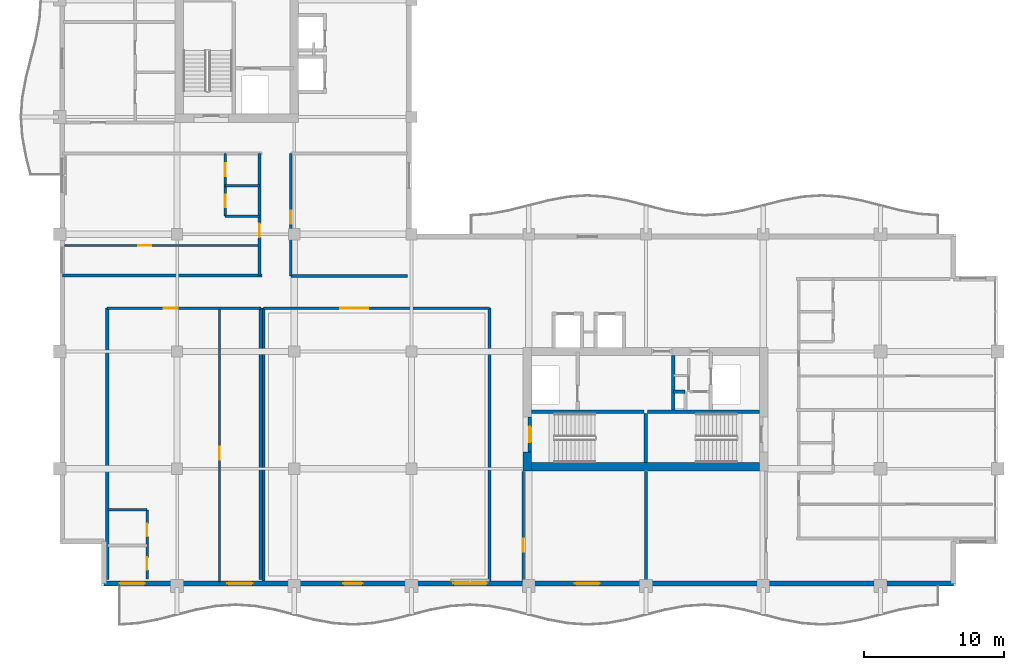
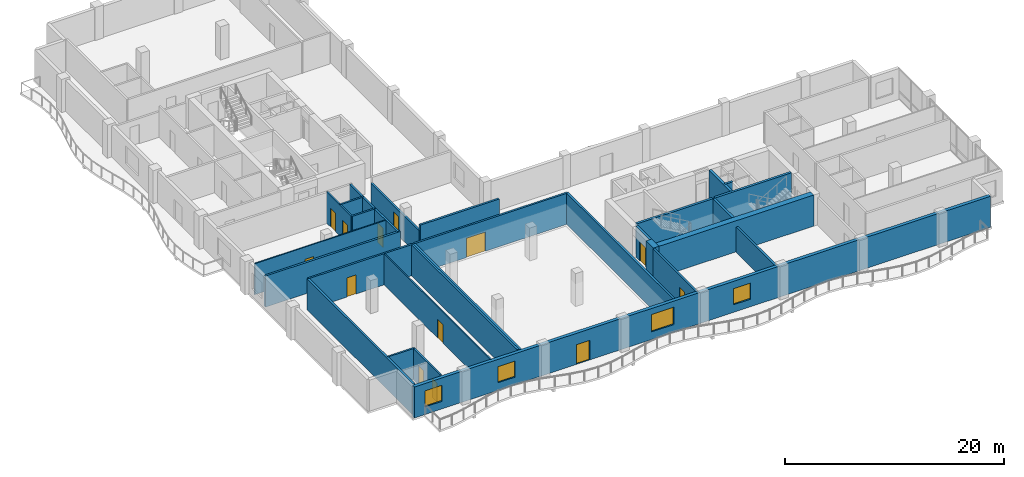
# One storey, part 6 of 16: 28 walls, 13 doors, 4 windows, 17 openings.
"""IFC4 building model written with IfcOpenShell, lengths in metres."""

from ifc_helpers import new_model, si_unit, direction, frame, frame_2d, origin, place, context, subcontext, project, spatial, rectangle, extrude, material, layer, layer_set, type_object, element, fill, save


model = new_model("IFC4")

# Units and contexts
model_context = context("Model", 3, precision=1e-05, world=origin(), true_north=direction((0.0, 1.0)))
body_context = subcontext(model_context, "Body", "Model", "MODEL_VIEW")
ifc_project = project(units=[si_unit("LENGTHUNIT", "METRE"), si_unit("AREAUNIT", "SQUARE_METRE"), si_unit("VOLUMEUNIT", "CUBIC_METRE"), si_unit("PLANEANGLEUNIT", "RADIAN"), si_unit("MASSUNIT", "GRAM", prefix="KILO")], contexts=[model_context])

# Site, building, storey
site_placement = place(None, origin())
site = spatial("IfcSite", under=ifc_project, at=site_placement, CompositionType="ELEMENT")
building_placement = place(site_placement, origin())
building = spatial("IfcBuilding", under=site, at=building_placement, Name="Koriwani Terraces Tower", CompositionType="ELEMENT")
storey_placement = place(building_placement, frame((0.0, 0.0, 274.89990234375)))
storey = spatial("IfcBuildingStorey", under=building, at=storey_placement, Name="L68", CompositionType="ELEMENT", Elevation=274.89990234375)

# Walls
ifc_material_1 = material(Name="Concrete C60/75", Category="concrete")
ifc_layer_1 = layer(ifc_material_1, 0.60009765625, Name="Concrete C60/75")
ifc_layer_set_1 = layer_set([ifc_layer_1], Name="Concrete C60/75")
wall_type_1 = type_object("IfcWallType", Name="WALL_CORE_RC_600", PredefinedType="SHEAR", material=ifc_layer_set_1)
wall_1_placement = place(storey_placement, frame((41.89990234375, 16.64990234375, 0.0), z_axis=(0.0, 0.0, 1.0), x_axis=(0.0, 1.0, 0.0)))
element("IfcWall", 1, at=wall_1_placement, inside=storey, type_object=wall_type_1, Name="L68 East Split Core Shear Wall W1", PredefinedType="SHEAR", context=body_context, shape_type="SweptSolid", body=[
    extrude(rectangle(XDim=1.35009765625, YDim=0.60009765625, at=frame_2d((0.675048828125, 0.0))), origin(), (0.0, 0.0, 1.0), 3.47021484375),
])
wall_2_placement = place(storey_placement, frame((42.199951171875, 16.949951171875, 0.0), z_axis=(0.0, 0.0, 1.0), x_axis=(1.0, 0.0, 0.0)))
element("IfcWall", 2, at=wall_2_placement, inside=storey, type_object=wall_type_1, Name="L68 East Split Core Shear Wall S1", PredefinedType="SHEAR", context=body_context, shape_type="SweptSolid", body=[
    extrude(rectangle(XDim=16.35009765625, YDim=0.60009765625, at=frame_2d((8.175048828125, 0.0))), origin(), (0.0, 0.0, 1.0), 3.47021484375),
])

# Wall, opening, door
ifc_material_2 = material(Name="Autoclaved Cellular Concrete Blockwork", Category="masonry")
ifc_layer_2 = layer(ifc_material_2, 0.199951171875, Name="Autoclaved Cellular Concrete Blockwork")
ifc_layer_set_2 = layer_set([ifc_layer_2], Name="Autoclaved Cellular Concrete Blockwork")
wall_type_2 = type_object("IfcWallType", Name="WALL_CORRIDOR_200", PredefinedType="PARTITIONING", material=ifc_layer_set_2)
wall_3_placement = place(storey_placement, frame((24.949951171875, 30.60009765625, 0.0), z_axis=(0.0, 0.0, 1.0), x_axis=(0.0, 1.0, 0.0)))
wall_3 = element("IfcWall", 3, at=wall_3_placement, inside=storey, type_object=wall_type_2, Name="L68 Interior Wall WIC4W-L68", PredefinedType="PARTITIONING", context=body_context, shape_type="SweptSolid", body=[
    extrude(rectangle(XDim=8.7998046875, YDim=0.199951171875, at=frame_2d((4.39990234375, 0.0))), origin(), (0.0, 0.0, 1.0), 2.820068359375),
])
opening_1_placement = place(wall_3_placement, frame((3.75, 0.0, 0.0)))
opening_1 = element("IfcOpeningElement", 4, at=opening_1_placement, cuts=wall_3, Name="Opening D-06", PredefinedType="OPENING", context=body_context, shape_type="SweptSolid", body=[
    extrude(rectangle(XDim=0.919921875, YDim=2.10009765625, at=frame_2d((0.4599609375, 1.050048828125))), frame((0.0, 0.10986328125, 0.0), z_axis=(0.0, -1.0, 0.0), x_axis=(1.0, 0.0, 0.0)), (0.0, 0.0, 1.0), 0.219970703125),
])
ifc_material_3 = material(Name="Architectural Oak Fire Door", Category="wood")
door_type_1 = type_object("IfcDoorType", Name="DOOR_ROOM_INT_920X2100", OperationType="NOTDEFINED", PredefinedType="DOOR", material=ifc_material_3)
door_1_placement = place(opening_1_placement, origin())
door_1 = element("IfcDoor", 5, at=door_1_placement, inside=storey, type_object=door_type_1, Name="L68 High-Rise Court Study Door", OperationType="SINGLE_SWING_RIGHT", OverallHeight=2.10009765625, OverallWidth=0.919921875, PredefinedType="DOOR", context=body_context, shape_type="SweptSolid", body=[
    extrude(rectangle(XDim=0.919921875, YDim=2.10009765625, at=frame_2d((0.4599609375, 1.050048828125))), frame((0.0, 0.02490234375, 0.0), z_axis=(0.0, -1.0, 0.0), x_axis=(1.0, 0.0, 0.0)), (0.0, 0.0, 1.0), 0.050048828125),
])
fill(opening_1, door_1)

wall_4_placement = place(storey_placement, frame((41.60009765625, 8.64990234375, 0.0), z_axis=(0.0, 0.0, 1.0), x_axis=(0.0, 1.0, 0.0)))
wall_4 = element("IfcWall", 6, at=wall_4_placement, inside=storey, type_object=wall_type_2, Name="L68 Interior Wall WRZ4-EW-L68", PredefinedType="PARTITIONING", context=body_context, shape_type="SweptSolid", body=[
    extrude(rectangle(XDim=7.9501953125, YDim=0.199951171875, at=frame_2d((3.97509765625, 0.0))), origin(), (0.0, 0.0, 1.0), 3.47021484375),
])
opening_2_placement = place(wall_4_placement, frame((2.199951171875, 0.0, 0.0)))
opening_2 = element("IfcOpeningElement", 7, at=opening_2_placement, cuts=wall_4, Name="Opening D-06", PredefinedType="OPENING", context=body_context, shape_type="SweptSolid", body=[
    extrude(rectangle(XDim=0.919921875, YDim=2.10009765625, at=frame_2d((0.4599609375, 1.050048828125))), frame((0.0, 0.10986328125, 0.0), z_axis=(0.0, -1.0, 0.0), x_axis=(1.0, 0.0, 0.0)), (0.0, 0.0, 1.0), 0.219970703125),
])
door_2_placement = place(opening_2_placement, origin())
door_2 = element("IfcDoor", 8, at=door_2_placement, inside=storey, type_object=door_type_1, Name="L68 Resident Library Study Door", OperationType="SINGLE_SWING_LEFT", OverallHeight=2.10009765625, OverallWidth=0.919921875, PredefinedType="DOOR", context=body_context, shape_type="SweptSolid", body=[
    extrude(rectangle(XDim=0.919921875, YDim=2.10009765625, at=frame_2d((0.4599609375, 1.050048828125))), frame((0.0, 0.02490234375, 0.0), z_axis=(0.0, -1.0, 0.0), x_axis=(1.0, 0.0, 0.0)), (0.0, 0.0, 1.0), 0.050048828125),
])
fill(opening_2, door_2)

wall_5_placement = place(storey_placement, frame((11.800048828125, 28.300048828125, 0.0), z_axis=(0.0, 0.0, 1.0), x_axis=(1.0, 0.0, 0.0)))
wall_5 = element("IfcWall", 9, at=wall_5_placement, inside=storey, type_object=wall_type_2, Name="L68 Interior Wall WGB-L68-SPINE-N", PredefinedType="PARTITIONING", context=body_context, shape_type="SweptSolid", body=[
    extrude(rectangle(XDim=11.0, YDim=0.199951171875, at=frame_2d((5.5, 0.0))), origin(), (0.0, 0.0, 1.0), 3.47021484375),
])
opening_3_placement = place(wall_5_placement, frame((4.050048828125, 0.0, 0.0)))
opening_3 = element("IfcOpeningElement", 10, at=opening_3_placement, cuts=wall_5, Name="Opening D-05", PredefinedType="OPENING", context=body_context, shape_type="SweptSolid", body=[
    extrude(rectangle(XDim=1.0, YDim=2.14990234375, at=frame_2d((0.5, 1.074951171875))), frame((0.0, 0.10986328125, 0.0), z_axis=(0.0, -1.0, 0.0), x_axis=(1.0, 0.0, 0.0)), (0.0, 0.0, 1.0), 0.219970703125),
])
door_type_2 = type_object("IfcDoorType", Name="DOOR_SUITE_ENTRY_1000X2150", OperationType="NOTDEFINED", PredefinedType="DOOR", material=ifc_material_3)
door_3_placement = place(opening_3_placement, origin())
door_3 = element("IfcDoor", 11, at=door_3_placement, inside=storey, type_object=door_type_2, Name="Corner Residence 68SP Entrance Door", OperationType="SINGLE_SWING_LEFT", OverallHeight=2.14990234375, OverallWidth=1.0, PredefinedType="DOOR", context=body_context, shape_type="SweptSolid", body=[
    extrude(rectangle(XDim=1.0, YDim=2.14990234375, at=frame_2d((0.5, 1.074951171875))), frame((0.0, 0.02490234375, 0.0), z_axis=(0.0, -1.0, 0.0), x_axis=(1.0, 0.0, 0.0)), (0.0, 0.0, 1.0), 0.050048828125),
])
fill(opening_3, door_3)

wall_6_placement = place(storey_placement, frame((23.0, 28.300048828125, 0.0), z_axis=(0.0, 0.0, 1.0), x_axis=(1.0, 0.0, 0.0)))
wall_6 = element("IfcWall", 12, at=wall_6_placement, inside=storey, type_object=wall_type_2, Name="L68 Interior Wall WSPCLB-N-L68", PredefinedType="PARTITIONING", context=body_context, shape_type="SweptSolid", body=[
    extrude(rectangle(XDim=16.199951171875, YDim=0.199951171875, at=frame_2d((8.10009765625, 0.0))), origin(), (0.0, 0.0, 1.0), 3.47021484375),
])
opening_4_placement = place(wall_6_placement, frame((5.5, 0.0, 0.0)))
opening_4 = element("IfcOpeningElement", 13, at=opening_4_placement, cuts=wall_6, Name="Opening D-02", PredefinedType="OPENING", context=body_context, shape_type="SweptSolid", body=[
    extrude(rectangle(XDim=2.0, YDim=2.14990234375, at=frame_2d((1.0, 1.074951171875))), frame((0.0, 0.10986328125, 0.0), z_axis=(0.0, -1.0, 0.0), x_axis=(1.0, 0.0, 0.0)), (0.0, 0.0, 1.0), 0.219970703125),
])
ifc_material_4 = material(Name="Anodised Bronze Aluminium", Category="aluminium")
door_type_3 = type_object("IfcDoorType", Name="DOOR_ENTRANCE_DOUBLE_2000X2400", OperationType="NOTDEFINED", PredefinedType="DOOR", material=ifc_material_4)
door_4_placement = place(opening_4_placement, origin())
door_4 = element("IfcDoor", 14, at=door_4_placement, inside=storey, type_object=door_type_3, Name="L68 Sky Screening Salon Door", OperationType="SINGLE_SWING_LEFT", OverallHeight=2.14990234375, OverallWidth=2.0, PredefinedType="DOOR", context=body_context, shape_type="SweptSolid", body=[
    extrude(rectangle(XDim=2.0, YDim=2.14990234375, at=frame_2d((1.0, 1.074951171875))), frame((0.0, 0.02490234375, 0.0), z_axis=(0.0, -1.0, 0.0), x_axis=(1.0, 0.0, 0.0)), (0.0, 0.0, 1.0), 0.050048828125),
])
fill(opening_4, door_4)

wall_7_placement = place(storey_placement, frame((22.699951171875, 30.64990234375, 0.0), z_axis=(0.0, 0.0, 1.0), x_axis=(0.0, 1.0, 0.0)))
wall_7 = element("IfcWall", 15, at=wall_7_placement, inside=storey, type_object=wall_type_2, Name="L68 Interior Wall WRCOR-L68-NE-0", PredefinedType="PARTITIONING", context=body_context, shape_type="SweptSolid", body=[
    extrude(rectangle(XDim=8.75, YDim=0.199951171875, at=frame_2d((4.375, 0.0))), origin(), (0.0, 0.0, 1.0), 3.47021484375),
])
opening_5_placement = place(wall_7_placement, frame((2.719970703125, 0.0, 0.0)))
opening_5 = element("IfcOpeningElement", 16, at=opening_5_placement, cuts=wall_7, Name="Opening D-05", PredefinedType="OPENING", context=body_context, shape_type="SweptSolid", body=[
    extrude(rectangle(XDim=1.0, YDim=2.14990234375, at=frame_2d((0.5, 1.074951171875))), frame((0.0, 0.10986328125, 0.0), z_axis=(0.0, -1.0, 0.0), x_axis=(1.0, 0.0, 0.0)), (0.0, 0.0, 1.0), 0.219970703125),
])
door_5_placement = place(opening_5_placement, origin())
door_5 = element("IfcDoor", 17, at=door_5_placement, inside=storey, type_object=door_type_2, Name="Apartment 68NE1 Entrance Door", OperationType="SINGLE_SWING_RIGHT", OverallHeight=2.14990234375, OverallWidth=1.0, PredefinedType="DOOR", context=body_context, shape_type="SweptSolid", body=[
    extrude(rectangle(XDim=1.0, YDim=2.14990234375, at=frame_2d((0.5, 1.074951171875))), frame((0.0, 0.02490234375, 0.0), z_axis=(0.0, -1.0, 0.0), x_axis=(1.0, 0.0, 0.0)), (0.0, 0.0, 1.0), 0.050048828125),
])
fill(opening_5, door_5)

# Walls
ifc_layer_3 = layer(ifc_material_2, 0.219970703125, Name="Autoclaved Cellular Concrete Blockwork")
ifc_layer_set_3 = layer_set([ifc_layer_3], Name="Autoclaved Cellular Concrete Blockwork")
wall_type_3 = type_object("IfcWallType", Name="WALL_DEMISING_220", PredefinedType="PARTITIONING", material=ifc_layer_set_3)
wall_8_placement = place(storey_placement, frame((24.949951171875, 30.60009765625, 0.0), z_axis=(0.0, 0.0, 1.0), x_axis=(1.0, 0.0, 0.0)))
element("IfcWall", 18, at=wall_8_placement, inside=storey, type_object=wall_type_3, Name="L68 Interior Wall WIC4WS-L68", PredefinedType="PARTITIONING", context=body_context, shape_type="SweptSolid", body=[
    extrude(rectangle(XDim=8.35009765625, YDim=0.219970703125, at=frame_2d((4.175048828125, 0.0))), origin(), (0.0, 0.0, 1.0), 3.47021484375),
])
wall_9_placement = place(storey_placement, frame((50.39990234375, 8.64990234375, 0.0), z_axis=(0.0, 0.0, 1.0), x_axis=(0.0, 1.0, 0.0)))
element("IfcWall", 19, at=wall_9_placement, inside=storey, type_object=wall_type_3, Name="L68 Interior Wall WRZ4-EM-L68", PredefinedType="PARTITIONING", context=body_context, shape_type="SweptSolid", body=[
    extrude(rectangle(XDim=7.9501953125, YDim=0.219970703125, at=frame_2d((3.97509765625, 0.0))), origin(), (0.0, 0.0, 1.0), 2.820068359375),
])
for number, where, z_axis, x_axis, name in (
    (20, (22.800048828125, 8.85009765625, 0.0), (0.0, 0.0, 1.0), (0.0, 1.0, 0.0), "L68 Interior Wall WGB-L68-SPINE-E"),
    (21, (11.800048828125, 8.85009765625, 0.0), (0.0, 0.0, 1.0), (0.0, 1.0, 0.0), "L68 Interior Wall WGB-L68-SPINE-W"),
):
    element("IfcWall", number, at=place(storey_placement, frame(where, z_axis=z_axis, x_axis=x_axis)), inside=storey, type_object=wall_type_3, Name=name, PredefinedType="PARTITIONING", context=body_context, shape_type="SweptSolid", body=[
        extrude(rectangle(XDim=19.449951171875, YDim=0.219970703125, at=frame_2d((9.72509765625, 0.0))), origin(), (0.0, 0.0, 1.0), 3.47021484375),
    ])
for number, where, z_axis, x_axis, name in (
    (22, (23.0, 8.75, 0.0), (0.0, 0.0, 1.0), (0.0, 1.0, 0.0), "L68 Interior Wall WSPCLB-W-L68"),
    (23, (39.199951171875, 8.75, 0.0), (0.0, 0.0, 1.0), (0.0, 1.0, 0.0), "L68 Interior Wall WSPCLB-E-L68"),
):
    element("IfcWall", number, at=place(storey_placement, frame(where, z_axis=z_axis, x_axis=x_axis)), inside=storey, type_object=wall_type_3, Name=name, PredefinedType="PARTITIONING", context=body_context, shape_type="SweptSolid", body=[
        extrude(rectangle(XDim=19.550048828125, YDim=0.219970703125, at=frame_2d((9.77490234375, 0.0))), origin(), (0.0, 0.0, 1.0), 3.47021484375),
    ])
wall_10_placement = place(storey_placement, frame((8.60009765625, 30.64990234375, 0.0), z_axis=(0.0, 0.0, 1.0), x_axis=(1.0, 0.0, 0.0)))
element("IfcWall", 24, at=wall_10_placement, inside=storey, type_object=wall_type_3, Name="L68 Interior Wall WRDEM-L68-NE-0", PredefinedType="PARTITIONING", context=body_context, shape_type="SweptSolid", body=[
    extrude(rectangle(XDim=14.27978515625, YDim=0.219970703125, at=frame_2d((7.139892578125, 0.0))), origin(), (0.0, 0.0, 1.0), 3.47021484375),
])

# Wall, openings, door, windows
ifc_material_5 = material(Name="Concrete C50/60", Category="concrete")
ifc_layer_4 = layer(ifc_material_5, 0.35009765625, Name="Concrete C50/60")
ifc_layer_set_4 = layer_set([ifc_layer_4], Name="Concrete C50/60")
wall_type_4 = type_object("IfcWallType", Name="WALL_EXT_BRUTALIST_350", PredefinedType="STANDARD", material=ifc_layer_set_4)
wall_11_placement = place(storey_placement, frame((72.425048828125, 8.574951171875, 0.0), z_axis=(0.0, 0.0, 1.0), x_axis=(-1.0, 0.0, 0.0)))
wall_11 = element("IfcWall", 25, at=wall_11_placement, inside=storey, type_object=wall_type_4, Name="L68 Fair-Faced Brutalist Exterior Wall (S)", PredefinedType="STANDARD", context=body_context, shape_type="SweptSolid", body=[
    extrude(rectangle(XDim=60.85009765625, YDim=0.35009765625, at=frame_2d((30.425048828125, 0.0))), origin(), (0.0, 0.0, 1.0), 3.47021484375),
])
opening_6_placement = place(wall_11_placement, frame((42.324951171875, 0.0, 0.0)))
opening_6 = element("IfcOpeningElement", 26, at=opening_6_placement, cuts=wall_11, Name="Opening D-09", PredefinedType="OPENING", context=body_context, shape_type="SweptSolid", body=[
    extrude(rectangle(XDim=1.39990234375, YDim=2.199951171875, at=frame_2d((0.699951171875, 1.10009765625))), frame((0.0, 0.18505859375, 0.0), z_axis=(0.0, -1.0, 0.0), x_axis=(1.0, 0.0, 0.0)), (0.0, 0.0, 1.0), 0.3701171875),
])
opening_7_placement = place(wall_11_placement, frame((33.425048828125, 0.0, 0.85009765625)))
opening_7 = element("IfcOpeningElement", 27, at=opening_7_placement, cuts=wall_11, Name="Opening W-03", PredefinedType="OPENING", context=body_context, shape_type="SweptSolid", body=[
    extrude(rectangle(XDim=2.39990234375, YDim=1.949951171875, at=frame_2d((1.199951171875, 0.97509765625))), frame((0.0, 0.18505859375, 0.0), z_axis=(0.0, -1.0, 0.0), x_axis=(1.0, 0.0, 0.0)), (0.0, 0.0, 1.0), 0.3701171875),
])
opening_8_placement = place(wall_11_placement, frame((25.324951171875, 0.0, 0.85009765625)))
opening_8 = element("IfcOpeningElement", 28, at=opening_8_placement, cuts=wall_11, Name="Opening W-04", PredefinedType="OPENING", context=body_context, shape_type="SweptSolid", body=[
    extrude(rectangle(XDim=1.800048828125, YDim=1.800048828125, at=frame_2d((0.89990234375, 0.89990234375))), frame((0.0, 0.18505859375, 0.0), z_axis=(0.0, -1.0, 0.0), x_axis=(1.0, 0.0, 0.0)), (0.0, 0.0, 1.0), 0.3701171875),
])
opening_9_placement = place(wall_11_placement, frame((50.215087890625, 0.0, 0.85009765625)))
opening_9 = element("IfcOpeningElement", 29, at=opening_9_placement, cuts=wall_11, Name="Opening W-04", PredefinedType="OPENING", context=body_context, shape_type="SweptSolid", body=[
    extrude(rectangle(XDim=1.800048828125, YDim=1.800048828125, at=frame_2d((0.89990234375, 0.89990234375))), frame((0.0, 0.18505859375, 0.0), z_axis=(0.0, -1.0, 0.0), x_axis=(1.0, 0.0, 0.0)), (0.0, 0.0, 1.0), 0.3701171875),
])
opening_10_placement = place(wall_11_placement, frame((57.93505859375, 0.0, 0.85009765625)))
opening_10 = element("IfcOpeningElement", 30, at=opening_10_placement, cuts=wall_11, Name="Opening W-04", PredefinedType="OPENING", context=body_context, shape_type="SweptSolid", body=[
    extrude(rectangle(XDim=1.800048828125, YDim=1.800048828125, at=frame_2d((0.89990234375, 0.89990234375))), frame((0.0, 0.18505859375, 0.0), z_axis=(0.0, -1.0, 0.0), x_axis=(1.0, 0.0, 0.0)), (0.0, 0.0, 1.0), 0.3701171875),
])
door_type_4 = type_object("IfcDoorType", Name="DOOR_BALCONY_GLAZED_1400X2200", OperationType="NOTDEFINED", PredefinedType="DOOR", material=ifc_material_4)
door_6_placement = place(opening_6_placement, origin())
door_6 = element("IfcDoor", 31, at=door_6_placement, inside=storey, type_object=door_type_4, Name="L68 South Balcony Glazed Door", OperationType="SINGLE_SWING_LEFT", OverallHeight=2.199951171875, OverallWidth=1.39990234375, PredefinedType="DOOR", context=body_context, shape_type="SweptSolid", body=[
    extrude(rectangle(XDim=1.39990234375, YDim=2.199951171875, at=frame_2d((0.699951171875, 1.10009765625))), frame((0.0, 0.02490234375, 0.0), z_axis=(0.0, -1.0, 0.0), x_axis=(1.0, 0.0, 0.0)), (0.0, 0.0, 1.0), 0.050048828125),
])
fill(opening_6, door_6)
ifc_material_6 = material(Name="Tempered Laminated Low-E Glass", Category="glass")
window_type_1 = type_object("IfcWindowType", Name="WIN_RES_BED_1800X1800", PartitioningType="DOUBLE_PANEL_VERTICAL", PredefinedType="WINDOW", material=ifc_material_6)
window_1_placement = place(opening_8_placement, origin())
window_1 = element("IfcWindow", 32, at=window_1_placement, inside=storey, type_object=window_type_1, Name="L68 Exterior Window (S-12)", OverallHeight=1.800048828125, OverallWidth=1.800048828125, PartitioningType="SINGLE_PANEL", PredefinedType="WINDOW", context=body_context, shape_type="SweptSolid", body=[
    extrude(rectangle(XDim=1.800048828125, YDim=1.800048828125, at=frame_2d((0.89990234375, 0.89990234375))), frame((0.0, 0.030029296875, 0.0), z_axis=(0.0, -1.0, 0.0), x_axis=(1.0, 0.0, 0.0)), (0.0, 0.0, 1.0), 0.06005859375),
])
fill(opening_8, window_1)
window_2_placement = place(opening_9_placement, origin())
window_2 = element("IfcWindow", 33, at=window_2_placement, inside=storey, type_object=window_type_1, Name="L68 Exterior Window (S-R33)", OverallHeight=1.800048828125, OverallWidth=1.800048828125, PartitioningType="SINGLE_PANEL", PredefinedType="WINDOW", context=body_context, shape_type="SweptSolid", body=[
    extrude(rectangle(XDim=1.800048828125, YDim=1.800048828125, at=frame_2d((0.89990234375, 0.89990234375))), frame((0.0, 0.030029296875, 0.0), z_axis=(0.0, -1.0, 0.0), x_axis=(1.0, 0.0, 0.0)), (0.0, 0.0, 1.0), 0.06005859375),
])
fill(opening_9, window_2)
window_3_placement = place(opening_10_placement, origin())
window_3 = element("IfcWindow", 34, at=window_3_placement, inside=storey, type_object=window_type_1, Name="L68 Exterior Window (S-R34)", OverallHeight=1.800048828125, OverallWidth=1.800048828125, PartitioningType="SINGLE_PANEL", PredefinedType="WINDOW", context=body_context, shape_type="SweptSolid", body=[
    extrude(rectangle(XDim=1.800048828125, YDim=1.800048828125, at=frame_2d((0.89990234375, 0.89990234375))), frame((0.0, 0.030029296875, 0.0), z_axis=(0.0, -1.0, 0.0), x_axis=(1.0, 0.0, 0.0)), (0.0, 0.0, 1.0), 0.06005859375),
])
fill(opening_10, window_3)
window_type_2 = type_object("IfcWindowType", Name="WIN_RES_LIVING_2400X1950", PartitioningType="DOUBLE_PANEL_VERTICAL", PredefinedType="WINDOW", material=ifc_material_6)
window_4_placement = place(opening_7_placement, origin())
window_4 = element("IfcWindow", 35, at=window_4_placement, inside=storey, type_object=window_type_2, Name="L68 Exterior Window (S-9)", OverallHeight=1.949951171875, OverallWidth=2.39990234375, PartitioningType="SINGLE_PANEL", PredefinedType="WINDOW", context=body_context, shape_type="SweptSolid", body=[
    extrude(rectangle(XDim=2.39990234375, YDim=1.949951171875, at=frame_2d((1.199951171875, 0.97509765625))), frame((0.0, 0.030029296875, 0.0), z_axis=(0.0, -1.0, 0.0), x_axis=(1.0, 0.0, 0.0)), (0.0, 0.0, 1.0), 0.06005859375),
])
fill(opening_7, window_4)

# Wall, opening, door
ifc_material_7 = material(Name="Fire-Rated Acoustic Gypsum Partition", Category="masonry")
ifc_layer_5 = layer(ifc_material_7, 0.125, Name="Fire-Rated Acoustic Gypsum Partition")
ifc_layer_set_5 = layer_set([ifc_layer_5], Name="Fire-Rated Acoustic Gypsum Partition")
wall_type_5 = type_object("IfcWallType", Name="WALL_INT_125", PredefinedType="PARTITIONING", material=ifc_layer_set_5)
wall_12_placement = place(storey_placement, frame((19.85009765625, 8.699951171875, 0.0), z_axis=(0.0, 0.0, 1.0), x_axis=(0.0, 1.0, 0.0)))
wall_12 = element("IfcWall", 36, at=wall_12_placement, inside=storey, type_object=wall_type_5, Name="L68 Interior Wall WGB-L68-SPINE-BD", PredefinedType="PARTITIONING", context=body_context, shape_type="SweptSolid", body=[
    extrude(rectangle(XDim=19.650146484375, YDim=0.125, at=frame_2d((9.8251953125, 0.0))), origin(), (0.0, 0.0, 1.0), 3.47021484375),
])
opening_11_placement = place(wall_12_placement, frame((8.751953125, 0.0, 0.0)))
opening_11 = element("IfcOpeningElement", 37, at=opening_11_placement, cuts=wall_12, Name="Opening D-06", PredefinedType="OPENING", context=body_context, shape_type="SweptSolid", body=[
    extrude(rectangle(XDim=0.919921875, YDim=2.10009765625, at=frame_2d((0.4599609375, 1.050048828125))), frame((0.0, 0.072509765625, 0.0), z_axis=(0.0, -1.0, 0.0), x_axis=(1.0, 0.0, 0.0)), (0.0, 0.0, 1.0), 0.14501953125),
])
door_7_placement = place(opening_11_placement, origin())
door_7 = element("IfcDoor", 38, at=door_7_placement, inside=storey, type_object=door_type_1, Name="Corner Residence 68SP Master Suite Door", OperationType="SINGLE_SWING_RIGHT", OverallHeight=2.10009765625, OverallWidth=0.919921875, PredefinedType="DOOR", context=body_context, shape_type="SweptSolid", body=[
    extrude(rectangle(XDim=0.919921875, YDim=2.10009765625, at=frame_2d((0.4599609375, 1.050048828125))), frame((0.0, 0.02490234375, 0.0), z_axis=(0.0, -1.0, 0.0), x_axis=(1.0, 0.0, 0.0)), (0.0, 0.0, 1.0), 0.050048828125),
])
fill(opening_11, door_7)

wall_13_placement = place(storey_placement, frame((8.75, 32.800048828125, 0.0), z_axis=(0.0, 0.0, 1.0), x_axis=(1.0, 0.0, 0.0)))
wall_13 = element("IfcWall", 39, at=wall_13_placement, inside=storey, type_object=wall_type_5, Name="L68 Interior Wall WRBED1-L68-NE-0", PredefinedType="PARTITIONING", context=body_context, shape_type="SweptSolid", body=[
    extrude(rectangle(XDim=13.949951171875, YDim=0.125, at=frame_2d((6.97509765625, 0.0))), origin(), (0.0, 0.0, 1.0), 3.47021484375),
])
opening_12_placement = place(wall_13_placement, frame((5.2900390625, 0.0, 0.0)))
opening_12 = element("IfcOpeningElement", 40, at=opening_12_placement, cuts=wall_13, Name="Opening D-06", PredefinedType="OPENING", context=body_context, shape_type="SweptSolid", body=[
    extrude(rectangle(XDim=0.919921875, YDim=2.10009765625, at=frame_2d((0.4599609375, 1.050048828125))), frame((0.0, 0.072509765625, 0.0), z_axis=(0.0, -1.0, 0.0), x_axis=(1.0, 0.0, 0.0)), (0.0, 0.0, 1.0), 0.14501953125),
])
door_8_placement = place(opening_12_placement, origin())
door_8 = element("IfcDoor", 41, at=door_8_placement, inside=storey, type_object=door_type_1, Name="Apartment 68NE1 Master Bedroom Door", OperationType="SINGLE_SWING_LEFT", OverallHeight=2.10009765625, OverallWidth=0.919921875, PredefinedType="DOOR", context=body_context, shape_type="SweptSolid", body=[
    extrude(rectangle(XDim=0.919921875, YDim=2.10009765625, at=frame_2d((0.4599609375, 1.050048828125))), frame((0.0, 0.02490234375, 0.0), z_axis=(0.0, -1.0, 0.0), x_axis=(1.0, 0.0, 0.0)), (0.0, 0.0, 1.0), 0.050048828125),
])
fill(opening_12, door_8)

# Wall, openings, doors
ifc_layer_6 = layer(ifc_material_7, 0.179931640625, Name="Fire-Rated Acoustic Gypsum Partition")
ifc_layer_set_6 = layer_set([ifc_layer_6], Name="Fire-Rated Acoustic Gypsum Partition")
wall_type_6 = type_object("IfcWallType", Name="WALL_PLUMBING_180", PredefinedType="PLUMBINGWALL", material=ifc_layer_set_6)
wall_14_placement = place(storey_placement, frame((14.64990234375, 8.89990234375, 0.0), z_axis=(0.0, 0.0, 1.0), x_axis=(0.0, 1.0, 0.0)))
wall_14 = element("IfcWall", 42, at=wall_14_placement, inside=storey, type_object=wall_type_6, Name="L68 Interior Wall WGB-L68-SPINE-SVB", PredefinedType="PLUMBINGWALL", context=body_context, shape_type="SweptSolid", body=[
    extrude(rectangle(XDim=4.9501953125, YDim=0.179931640625, at=frame_2d((2.47509765625, 0.0))), origin(), (0.0, 0.0, 1.0), 3.47021484375),
])
opening_13_placement = place(wall_14_placement, frame((0.64990234375, 0.0, 0.0)))
opening_13 = element("IfcOpeningElement", 43, at=opening_13_placement, cuts=wall_14, Name="Opening D-07", PredefinedType="OPENING", context=body_context, shape_type="SweptSolid", body=[
    extrude(rectangle(XDim=0.89990234375, YDim=2.10009765625, at=frame_2d((0.449951171875, 1.050048828125))), frame((0.0, 0.10009765625, 0.0), z_axis=(0.0, -1.0, 0.0), x_axis=(1.0, 0.0, 0.0)), (0.0, 0.0, 1.0), 0.199951171875),
])
opening_14_placement = place(wall_14_placement, frame((3.050048828125, 0.0, 0.0)))
opening_14 = element("IfcOpeningElement", 44, at=opening_14_placement, cuts=wall_14, Name="Opening D-06", PredefinedType="OPENING", context=body_context, shape_type="SweptSolid", body=[
    extrude(rectangle(XDim=0.919921875, YDim=2.10009765625, at=frame_2d((0.4599609375, 1.050048828125))), frame((0.0, 0.10009765625, 0.0), z_axis=(0.0, -1.0, 0.0), x_axis=(1.0, 0.0, 0.0)), (0.0, 0.0, 1.0), 0.199951171875),
])
door_type_5 = type_object("IfcDoorType", Name="DOOR_BATH_INT_900X2100", OperationType="NOTDEFINED", PredefinedType="DOOR", material=ifc_material_3)
door_9_placement = place(opening_13_placement, origin())
door_9 = element("IfcDoor", 45, at=door_9_placement, inside=storey, type_object=door_type_5, Name="Corner Residence 68SP Bathroom Door", OperationType="SINGLE_SWING_RIGHT", OverallHeight=2.10009765625, OverallWidth=0.89990234375, PredefinedType="DOOR", context=body_context, shape_type="SweptSolid", body=[
    extrude(rectangle(XDim=0.89990234375, YDim=2.10009765625, at=frame_2d((0.449951171875, 1.050048828125))), frame((0.0, 0.02490234375, 0.0), z_axis=(0.0, -1.0, 0.0), x_axis=(1.0, 0.0, 0.0)), (0.0, 0.0, 1.0), 0.050048828125),
])
fill(opening_13, door_9)
door_10_placement = place(opening_14_placement, origin())
door_10 = element("IfcDoor", 46, at=door_10_placement, inside=storey, type_object=door_type_1, Name="Corner Residence 68SP Kitchen Door", OperationType="SINGLE_SWING_LEFT", OverallHeight=2.10009765625, OverallWidth=0.919921875, PredefinedType="DOOR", context=body_context, shape_type="SweptSolid", body=[
    extrude(rectangle(XDim=0.919921875, YDim=2.10009765625, at=frame_2d((0.4599609375, 1.050048828125))), frame((0.0, 0.02490234375, 0.0), z_axis=(0.0, -1.0, 0.0), x_axis=(1.0, 0.0, 0.0)), (0.0, 0.0, 1.0), 0.050048828125),
])
fill(opening_14, door_10)

# Wall
wall_15_placement = place(storey_placement, frame((11.85009765625, 13.85009765625, 0.0), z_axis=(0.0, 0.0, 1.0), x_axis=(1.0, 0.0, 0.0)))
element("IfcWall", 47, at=wall_15_placement, inside=storey, type_object=wall_type_6, Name="L68 Interior Wall WGB-L68-SPINE-SV2", PredefinedType="PLUMBINGWALL", context=body_context, shape_type="SweptSolid", body=[
    extrude(rectangle(XDim=2.7998046875, YDim=0.179931640625, at=frame_2d((1.39990234375, 0.0))), origin(), (0.0, 0.0, 1.0), 3.47021484375),
])

# Wall, openings, doors
wall_16_placement = place(storey_placement, frame((20.25, 34.89990234375, 0.0), z_axis=(0.0, 0.0, 1.0), x_axis=(0.0, 1.0, 0.0)))
wall_16 = element("IfcWall", 48, at=wall_16_placement, inside=storey, type_object=wall_type_6, Name="L68 Interior Wall WRSVC-L68-NE-0", PredefinedType="PLUMBINGWALL", context=body_context, shape_type="SweptSolid", body=[
    extrude(rectangle(XDim=4.5, YDim=0.179931640625, at=frame_2d((2.25, 0.0))), origin(), (0.0, 0.0, 1.0), 3.47021484375),
])
opening_15_placement = place(wall_16_placement, frame((0.6298828125, 0.0, 0.0)))
opening_15 = element("IfcOpeningElement", 49, at=opening_15_placement, cuts=wall_16, Name="Opening D-07", PredefinedType="OPENING", context=body_context, shape_type="SweptSolid", body=[
    extrude(rectangle(XDim=0.89990234375, YDim=2.10009765625, at=frame_2d((0.449951171875, 1.050048828125))), frame((0.0, 0.10009765625, 0.0), z_axis=(0.0, -1.0, 0.0), x_axis=(1.0, 0.0, 0.0)), (0.0, 0.0, 1.0), 0.199951171875),
])
opening_16_placement = place(wall_16_placement, frame((2.8701171875, 0.0, 0.0)))
opening_16 = element("IfcOpeningElement", 50, at=opening_16_placement, cuts=wall_16, Name="Opening D-06", PredefinedType="OPENING", context=body_context, shape_type="SweptSolid", body=[
    extrude(rectangle(XDim=0.919921875, YDim=2.10009765625, at=frame_2d((0.4599609375, 1.050048828125))), frame((0.0, 0.10009765625, 0.0), z_axis=(0.0, -1.0, 0.0), x_axis=(1.0, 0.0, 0.0)), (0.0, 0.0, 1.0), 0.199951171875),
])
door_11_placement = place(opening_15_placement, origin())
door_11 = element("IfcDoor", 51, at=door_11_placement, inside=storey, type_object=door_type_5, Name="Apartment 68NE1 Bathroom Door", OperationType="SINGLE_SWING_LEFT", OverallHeight=2.10009765625, OverallWidth=0.89990234375, PredefinedType="DOOR", context=body_context, shape_type="SweptSolid", body=[
    extrude(rectangle(XDim=0.89990234375, YDim=2.10009765625, at=frame_2d((0.449951171875, 1.050048828125))), frame((0.0, 0.02490234375, 0.0), z_axis=(0.0, -1.0, 0.0), x_axis=(1.0, 0.0, 0.0)), (0.0, 0.0, 1.0), 0.050048828125),
])
fill(opening_15, door_11)
door_12_placement = place(opening_16_placement, origin())
door_12 = element("IfcDoor", 52, at=door_12_placement, inside=storey, type_object=door_type_1, Name="Apartment 68NE1 Kitchen Door", OperationType="SINGLE_SWING_RIGHT", OverallHeight=2.10009765625, OverallWidth=0.919921875, PredefinedType="DOOR", context=body_context, shape_type="SweptSolid", body=[
    extrude(rectangle(XDim=0.919921875, YDim=2.10009765625, at=frame_2d((0.4599609375, 1.050048828125))), frame((0.0, 0.02490234375, 0.0), z_axis=(0.0, -1.0, 0.0), x_axis=(1.0, 0.0, 0.0)), (0.0, 0.0, 1.0), 0.050048828125),
])
fill(opening_16, door_12)

# Walls
for number, where, z_axis, x_axis, name in (
    (53, (20.25, 34.89990234375, 0.0), (0.0, 0.0, 1.0), (1.0, 0.0, 0.0), "L68 Interior Wall WRSVCS-L68-NE-0"),
    (54, (20.25, 37.06005859375, 0.0), (0.0, 0.0, 1.0), (1.0, 0.0, 0.0), "L68 Interior Wall WRSVCM-L68-NE-0"),
):
    element("IfcWall", number, at=place(storey_placement, frame(where, z_axis=z_axis, x_axis=x_axis)), inside=storey, type_object=wall_type_6, Name=name, PredefinedType="PLUMBINGWALL", context=body_context, shape_type="SweptSolid", body=[
        extrude(rectangle(XDim=2.449951171875, YDim=0.179931640625, at=frame_2d((1.22509765625, 0.0))), origin(), (0.0, 0.0, 1.0), 3.47021484375),
    ])
ifc_material_8 = material(Name="Concrete C40/50", Category="concrete")
ifc_layer_7 = layer(ifc_material_8, 0.25, Name="Concrete C40/50")
ifc_layer_set_7 = layer_set([ifc_layer_7], Name="Concrete C40/50")
wall_type_7 = type_object("IfcWallType", Name="WALL_SHAFT_RATED_250", PredefinedType="SOLIDWALL", material=ifc_layer_set_7)
for number, where, z_axis, x_axis, name in (
    (55, (42.199951171875, 20.875, 0.0), (0.0, 0.0, 1.0), (1.0, 0.0, 0.0), "L68 East Split Core Web Wall MID1"),
    (56, (50.5, 20.875, 0.0), (0.0, 0.0, 1.0), (1.0, 0.0, 0.0), "L68 East Split Core Web Wall MID2"),
):
    element("IfcWall", number, at=place(storey_placement, frame(where, z_axis=z_axis, x_axis=x_axis)), inside=storey, type_object=wall_type_7, Name=name, PredefinedType="SOLIDWALL", context=body_context, shape_type="SweptSolid", body=[
        extrude(rectangle(XDim=8.050048828125, YDim=0.25, at=frame_2d((4.02490234375, 0.0))), origin(), (0.0, 0.0, 1.0), 3.47021484375),
    ])
wall_17_placement = place(storey_placement, frame((50.375, 17.25, 0.0), z_axis=(0.0, 0.0, 1.0), x_axis=(0.0, 1.0, 0.0)))
element("IfcWall", 57, at=wall_17_placement, inside=storey, type_object=wall_type_7, Name="L68 East Split Core Stair Dividing Wall", PredefinedType="SOLIDWALL", context=body_context, shape_type="SweptSolid", body=[
    extrude(rectangle(XDim=3.5, YDim=0.25, at=frame_2d((1.75, 0.0))), origin(), (0.0, 0.0, 1.0), 3.47021484375),
])

# Wall, opening, door
wall_18_placement = place(storey_placement, frame((42.074951171875, 18.0, 0.0), z_axis=(0.0, 0.0, 1.0), x_axis=(0.0, 1.0, 0.0)))
wall_18 = element("IfcWall", 58, at=wall_18_placement, inside=storey, type_object=wall_type_7, Name="L68 Interior Wall WIN-CE-L68-STW", PredefinedType="SOLIDWALL", context=body_context, shape_type="SweptSolid", body=[
    extrude(rectangle(XDim=2.5, YDim=0.25, at=frame_2d((1.25, 0.0))), origin(), (0.0, 0.0, 1.0), 3.47021484375),
])
opening_17_placement = place(wall_18_placement, frame((0.699951171875, 0.0, 0.0)))
opening_17 = element("IfcOpeningElement", 59, at=opening_17_placement, cuts=wall_18, Name="Opening D-03", PredefinedType="OPENING", context=body_context, shape_type="SweptSolid", body=[
    extrude(rectangle(XDim=1.10009765625, YDim=2.14990234375, at=frame_2d((0.550048828125, 1.074951171875))), frame((0.0, 0.135009765625, 0.0), z_axis=(0.0, -1.0, 0.0), x_axis=(1.0, 0.0, 0.0)), (0.0, 0.0, 1.0), 0.27001953125),
])
ifc_material_9 = material(Name="Steel ASTM A572 Grade 50", Category="steel")
door_type_6 = type_object("IfcDoorType", Name="DOOR_STAIR_FIRE_1100X2150", OperationType="NOTDEFINED", PredefinedType="DOOR", material=ifc_material_9)
door_13_placement = place(opening_17_placement, origin())
door_13 = element("IfcDoor", 60, at=door_13_placement, inside=storey, type_object=door_type_6, Name="L68 Exit Stair ST-E1 Door", OperationType="SINGLE_SWING_LEFT", OverallHeight=2.14990234375, OverallWidth=1.10009765625, PredefinedType="DOOR", context=body_context, shape_type="SweptSolid", body=[
    extrude(rectangle(XDim=1.10009765625, YDim=2.14990234375, at=frame_2d((0.550048828125, 1.074951171875))), frame((0.0, 0.02490234375, 0.0), z_axis=(0.0, -1.0, 0.0), x_axis=(1.0, 0.0, 0.0)), (0.0, 0.0, 1.0), 0.050048828125),
])
fill(opening_17, door_13)

# Walls
wall_19_placement = place(storey_placement, frame((52.340087890625, 21.0, 0.0), z_axis=(0.0, 0.0, 1.0), x_axis=(0.0, 1.0, 0.0)))
element("IfcWall", 61, at=wall_19_placement, inside=storey, type_object=wall_type_7, Name="L68 Interior Wall WIN-CE-L68-FFE", PredefinedType="SOLIDWALL", context=body_context, shape_type="SweptSolid", body=[
    extrude(rectangle(XDim=3.89990234375, YDim=0.25, at=frame_2d((1.949951171875, 0.0))), origin(), (0.0, 0.0, 1.0), 3.47021484375),
])
wall_20_placement = place(storey_placement, frame((52.360107421875, 22.300048828125, 0.0), z_axis=(0.0, 0.0, 1.0), x_axis=(1.0, 0.0, 0.0)))
element("IfcWall", 62, at=wall_20_placement, inside=storey, type_object=wall_type_7, Name="L68 Interior Wall WIN-CE-L68-RS2", PredefinedType="SOLIDWALL", context=body_context, shape_type="SweptSolid", body=[
    extrude(rectangle(XDim=0.83984375, YDim=0.25, at=frame_2d((0.419921875, 0.0))), origin(), (0.0, 0.0, 1.0), 3.47021484375),
])

save(model, "model.ifc")
